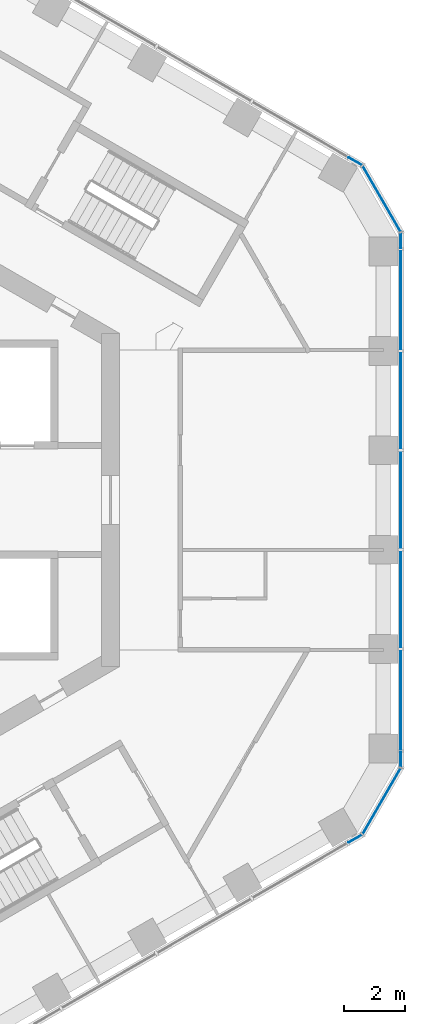
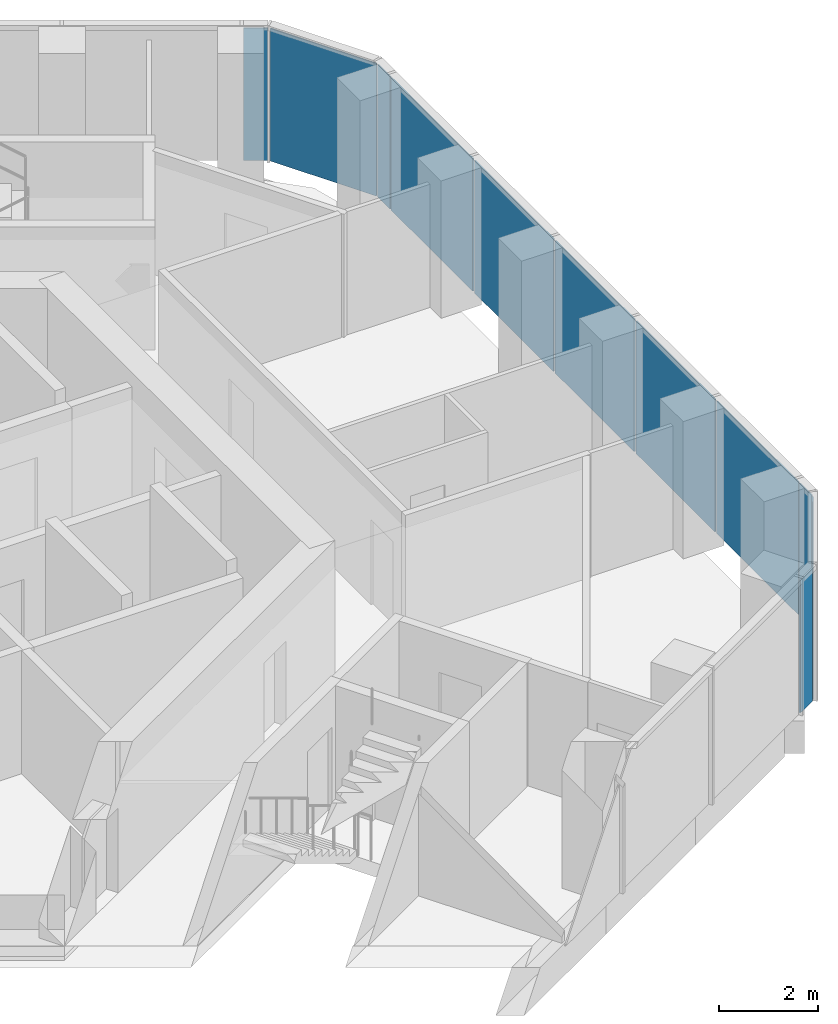
# One storey, part 11 of 18: 11 plates, 3 elements without a shape of their own.
"""IFC4 building model written with IfcOpenShell, lengths in metres."""

from ifc_helpers import new_model, si_unit, direction, frame, origin, origin_2d, place, context, subcontext, project, spatial, rectangle, extrude, material, layer, layer_set, type_object, element, aggregate, save


model = new_model("IFC4")

# Units and contexts
model_context = context("Model", 3, precision=1e-05, world=origin(), true_north=direction((0.0, 1.0)))
body_context = subcontext(model_context, "Body", "Model", "MODEL_VIEW")
ifc_project = project(units=[si_unit("LENGTHUNIT", "METRE"), si_unit("AREAUNIT", "SQUARE_METRE"), si_unit("VOLUMEUNIT", "CUBIC_METRE"), si_unit("PLANEANGLEUNIT", "RADIAN"), si_unit("MASSUNIT", "GRAM", prefix="KILO")], contexts=[model_context])

# Site, building, storey
site_placement = place(None, origin())
site = spatial("IfcSite", under=ifc_project, at=site_placement, CompositionType="ELEMENT")
building_placement = place(site_placement, origin())
building = spatial("IfcBuilding", under=site, at=building_placement, Name="Ayvan Gate Tower", CompositionType="ELEMENT")
storey_placement = place(building_placement, frame((0.0, 0.0, 179.89990234375)))
storey = spatial("IfcBuildingStorey", under=building, at=storey_placement, Name="L48", CompositionType="ELEMENT", Elevation=179.89990234375)

# Curtain wall, plates
ifc_material_1 = material(Name="Bronze anodised aluminium", Category="aluminium")
ifc_layer_1 = layer(ifc_material_1, 0.199951171875)
ifc_layer_set_1 = layer_set([ifc_layer_1], Name="Bronze anodised aluminium")
curtain_wall_type_1 = type_object("IfcCurtainWallType", Name="Stick curtain wall CW-2", PredefinedType="NOTDEFINED", material=ifc_layer_set_1)
curtain_wall_1_placement = place(storey_placement, origin())
curtain_wall_1 = element("IfcCurtainWall", 1, at=curtain_wall_1_placement, inside=storey, type_object=curtain_wall_type_1, Name="Stick curtain wall CW-2 L48", PredefinedType="NOTDEFINED")
ifc_material_2 = material(Name="Clear low-iron laminated glass", Category="glass")
ifc_layer_2 = layer(ifc_material_2, 0.028076171875)
ifc_layer_set_2 = layer_set([ifc_layer_2], Name="Clear low-iron laminated glass")
plate_type_1 = type_object("IfcPlateType", Name="Stick curtain wall CW-2 glass panel", PredefinedType="CURTAIN_PANEL", material=ifc_layer_set_2)
plate_1_placement = place(storey_placement, frame((18.761474609375, -6.603515625, 0.0), z_axis=(0.0, 0.0, 1.0), x_axis=(0.0, 1.0, 0.0)))
plate_1 = element("IfcPlate", 2, at=plate_1_placement, type_object=plate_type_1, Name="CW-2 glass panel 1", PredefinedType="CURTAIN_PANEL", context=body_context, shape_type="SweptSolid", body=[
    extrude(rectangle(XDim=3.31396484375, YDim=0.028076171875, at=origin_2d()), origin(), (0.0, 0.0, 1.0), 3.280029296875),
])
plate_2_placement = place(storey_placement, frame((18.761474609375, -3.2744140625, 0.0), z_axis=(0.0, 0.0, 1.0), x_axis=(0.0, 1.0, 0.0)))
plate_2 = element("IfcPlate", 3, at=plate_2_placement, type_object=plate_type_1, Name="CW-2 glass panel 2", PredefinedType="CURTAIN_PANEL", context=body_context, shape_type="SweptSolid", body=[
    extrude(rectangle(XDim=3.2041015625, YDim=0.028076171875, at=origin_2d()), origin(), (0.0, 0.0, 1.0), 3.280029296875),
])
plate_3_placement = place(storey_placement, frame((18.761474609375, 0.0, 0.0), z_axis=(0.0, 0.0, 1.0), x_axis=(0.0, 1.0, 0.0)))
plate_3 = element("IfcPlate", 4, at=plate_3_placement, type_object=plate_type_1, Name="CW-2 glass panel 3", PredefinedType="CURTAIN_PANEL", context=body_context, shape_type="SweptSolid", body=[
    extrude(rectangle(XDim=3.205078125, YDim=0.028076171875, at=origin_2d()), origin(), (0.0, 0.0, 1.0), 3.280029296875),
])
plate_4_placement = place(storey_placement, frame((18.761474609375, 3.274658203125, 0.0), z_axis=(0.0, 0.0, 1.0), x_axis=(0.0, 1.0, 0.0)))
plate_4 = element("IfcPlate", 5, at=plate_4_placement, type_object=plate_type_1, Name="CW-2 glass panel 4", PredefinedType="CURTAIN_PANEL", context=body_context, shape_type="SweptSolid", body=[
    extrude(rectangle(XDim=3.2041015625, YDim=0.028076171875, at=origin_2d()), origin(), (0.0, 0.0, 1.0), 3.280029296875),
])
plate_5_placement = place(storey_placement, frame((18.761474609375, 6.603515625, 0.0), z_axis=(0.0, 0.0, 1.0), x_axis=(0.0, 1.0, 0.0)))
plate_5 = element("IfcPlate", 6, at=plate_5_placement, type_object=plate_type_1, Name="CW-2 glass panel 5", PredefinedType="CURTAIN_PANEL", context=body_context, shape_type="SweptSolid", body=[
    extrude(rectangle(XDim=3.31396484375, YDim=0.028076171875, at=origin_2d()), origin(), (0.0, 0.0, 1.0), 3.280029296875),
])
aggregate(curtain_wall_1, [plate_1, plate_2, plate_3, plate_4, plate_5])

ifc_layer_3 = layer(ifc_material_1, 0.199951171875)
ifc_layer_set_3 = layer_set([ifc_layer_3], Name="Bronze anodised aluminium")
curtain_wall_type_2 = type_object("IfcCurtainWallType", Name="Stick curtain wall CW-6", PredefinedType="NOTDEFINED", material=ifc_layer_set_3)
curtain_wall_2_placement = place(storey_placement, origin())
curtain_wall_2 = element("IfcCurtainWall", 7, at=curtain_wall_2_placement, inside=storey, type_object=curtain_wall_type_2, Name="Stick curtain wall CW-6 L48", PredefinedType="NOTDEFINED")
ifc_layer_4 = layer(ifc_material_2, 0.028076171875)
ifc_layer_set_4 = layer_set([ifc_layer_4], Name="Clear low-iron laminated glass")
plate_type_2 = type_object("IfcPlateType", Name="Stick curtain wall CW-6 glass panel", PredefinedType="CURTAIN_PANEL", material=ifc_layer_set_4)
plate_6_placement = place(storey_placement, frame((17.256103515625, -11.15283203125, 0.0), z_axis=(0.0, 0.0, 1.0), x_axis=(0.866025403784, 0.5, 0.0)))
plate_6 = element("IfcPlate", 8, at=plate_6_placement, type_object=plate_type_2, Name="CW-6 glass panel 1", PredefinedType="CURTAIN_PANEL", context=body_context, shape_type="SweptSolid", body=[
    extrude(rectangle(XDim=0.5, YDim=0.028076171875, at=origin_2d()), origin(), (0.0, 0.0, 1.0), 3.280029296875),
])
plate_7_placement = place(storey_placement, frame((18.1279296875, -9.91796875, 0.0), z_axis=(0.0, 0.0, 1.0), x_axis=(0.5, 0.866025403784, 0.0)))
plate_7 = element("IfcPlate", 9, at=plate_7_placement, type_object=plate_type_2, Name="CW-6 glass panel 2", PredefinedType="CURTAIN_PANEL", context=body_context, shape_type="SweptSolid", body=[
    extrude(rectangle(XDim=2.484619140625, YDim=0.028076171875, at=origin_2d()), origin(), (0.0, 0.0, 1.0), 3.280029296875),
])
plate_8_placement = place(storey_placement, frame((18.761474609375, -8.54541015625, 0.0), z_axis=(0.0, 0.0, 1.0), x_axis=(0.0, 1.0, 0.0)))
plate_8 = element("IfcPlate", 10, at=plate_8_placement, type_object=plate_type_2, Name="CW-6 glass panel 3", PredefinedType="CURTAIN_PANEL", context=body_context, shape_type="SweptSolid", body=[
    extrude(rectangle(XDim=0.5, YDim=0.028076171875, at=origin_2d()), origin(), (0.0, 0.0, 1.0), 3.280029296875),
])
aggregate(curtain_wall_2, [plate_6, plate_7, plate_8])

curtain_wall_3_placement = place(storey_placement, origin())
curtain_wall_3 = element("IfcCurtainWall", 11, at=curtain_wall_3_placement, inside=storey, type_object=curtain_wall_type_2, Name="Stick curtain wall CW-6 L48", PredefinedType="NOTDEFINED")
plate_9_placement = place(storey_placement, frame((18.761474609375, 8.54541015625, 0.0), z_axis=(0.0, 0.0, 1.0), x_axis=(0.0, 1.0, 0.0)))
plate_9 = element("IfcPlate", 12, at=plate_9_placement, type_object=plate_type_2, Name="CW-6 glass panel 1", PredefinedType="CURTAIN_PANEL", context=body_context, shape_type="SweptSolid", body=[
    extrude(rectangle(XDim=0.5, YDim=0.028076171875, at=origin_2d()), origin(), (0.0, 0.0, 1.0), 3.280029296875),
])
plate_10_placement = place(storey_placement, frame((18.1279296875, 9.91796875, 0.0), z_axis=(0.0, 0.0, 1.0), x_axis=(-0.5, 0.866025403784, 0.0)))
plate_10 = element("IfcPlate", 13, at=plate_10_placement, type_object=plate_type_2, Name="CW-6 glass panel 2", PredefinedType="CURTAIN_PANEL", context=body_context, shape_type="SweptSolid", body=[
    extrude(rectangle(XDim=2.484619140625, YDim=0.028076171875, at=origin_2d()), origin(), (0.0, 0.0, 1.0), 3.280029296875),
])
plate_11_placement = place(storey_placement, frame((17.256103515625, 11.15283203125, 0.0), z_axis=(0.0, 0.0, 1.0), x_axis=(-0.866025403784, 0.5, 0.0)))
plate_11 = element("IfcPlate", 14, at=plate_11_placement, type_object=plate_type_2, Name="CW-6 glass panel 3", PredefinedType="CURTAIN_PANEL", context=body_context, shape_type="SweptSolid", body=[
    extrude(rectangle(XDim=0.5, YDim=0.028076171875, at=origin_2d()), origin(), (0.0, 0.0, 1.0), 3.280029296875),
])
aggregate(curtain_wall_3, [plate_9, plate_10, plate_11])

save(model, "model.ifc")
